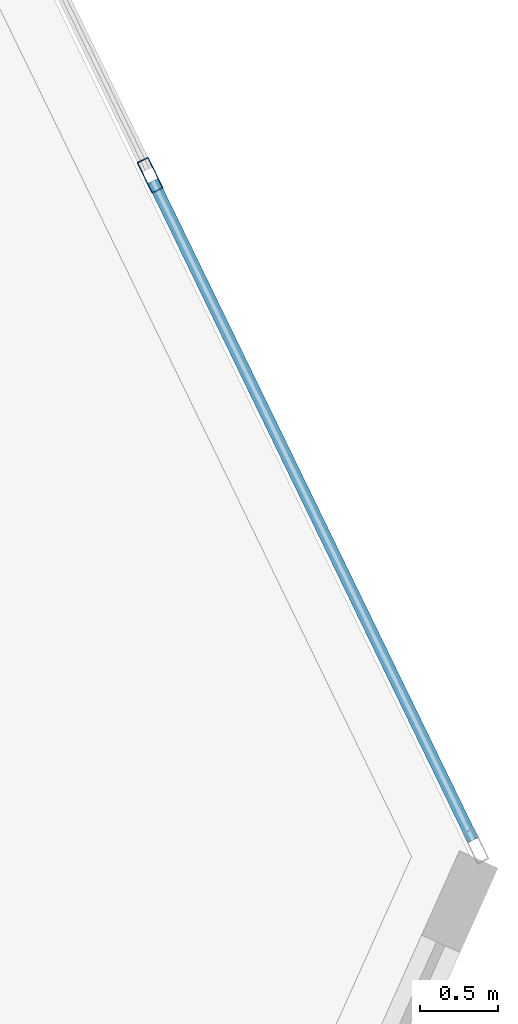
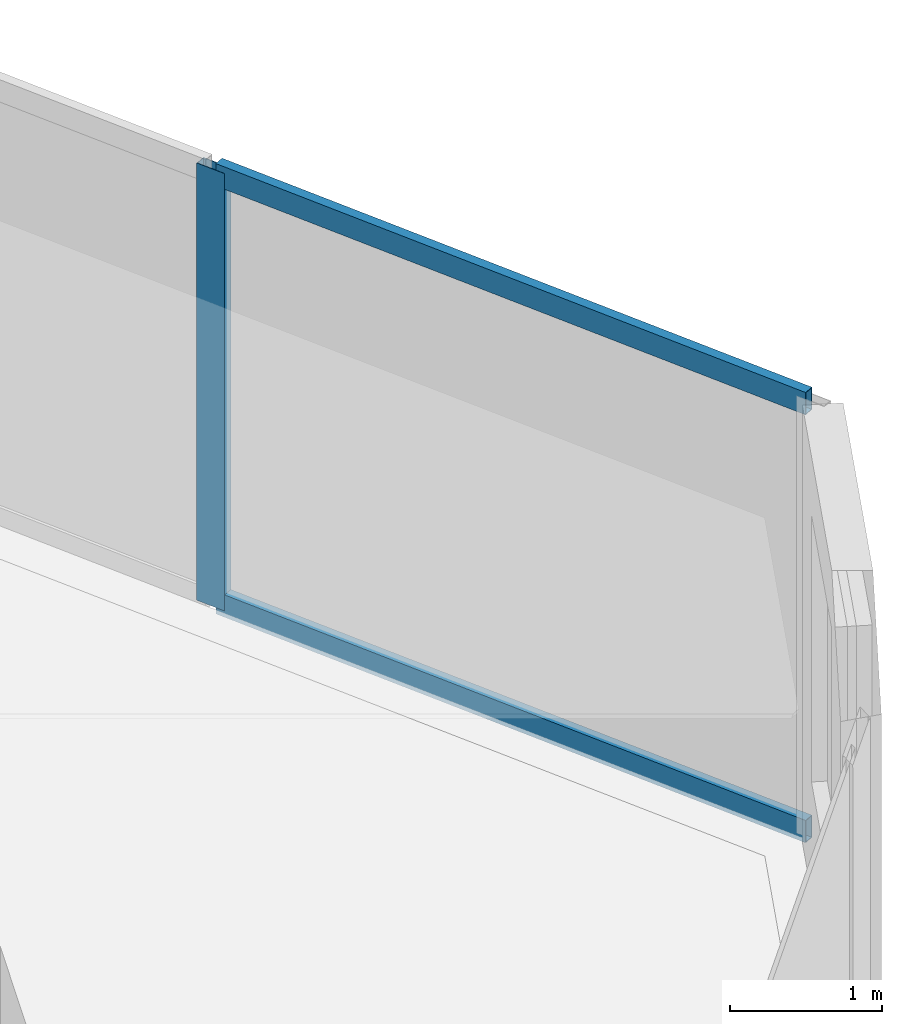
# One storey, part 14 of 24: 3 members, 1 element without a shape of its own.
"""IFC4 building model written with IfcOpenShell, lengths in metres."""

from ifc_helpers import new_model, si_unit, direction, frame, origin, origin_2d, place, context, subcontext, project, spatial, hollow_rectangle, extrude, source, transform, mapped, material, layer, layer_set, material_profile, profile_set, type_object, type_shapes, element, aggregate, save


model = new_model("IFC4")

# Units and contexts
model_context = context("Model", 3, precision=1e-05, world=origin(), true_north=direction((0.0, 1.0)))
body_context = subcontext(model_context, "Body", "Model", "MODEL_VIEW")
ifc_project = project(units=[si_unit("LENGTHUNIT", "METRE"), si_unit("AREAUNIT", "SQUARE_METRE"), si_unit("VOLUMEUNIT", "CUBIC_METRE"), si_unit("PLANEANGLEUNIT", "RADIAN"), si_unit("MASSUNIT", "GRAM", prefix="KILO")], contexts=[model_context])

# Site, building, storey
site_placement = place(None, origin())
site = spatial("IfcSite", under=ifc_project, at=site_placement, CompositionType="ELEMENT")
building_placement = place(site_placement, origin())
building = spatial("IfcBuilding", under=site, at=building_placement, Name="Talar Marvaseh", CompositionType="ELEMENT")
storey_placement = place(building_placement, frame((0.0, 0.0, 43.0)))
storey = spatial("IfcBuildingStorey", under=building, at=storey_placement, Name="L10", CompositionType="ELEMENT", Elevation=43.0)

# Curtain wall, members
ifc_material = material(Name="Architectural Aluminium", Category="aluminium")
ifc_layer = layer(ifc_material, 0.219970703125)
ifc_layer_set = layer_set([ifc_layer], Name="Architectural Aluminium")
curtain_wall_type = type_object("IfcCurtainWallType", Name="Unitised Low-E Museum Curtain Wall Z1", PredefinedType="NOTDEFINED", material=ifc_layer_set)
curtain_wall_placement = place(storey_placement, origin())
curtain_wall = element("IfcCurtainWall", 1, at=curtain_wall_placement, inside=storey, type_object=curtain_wall_type, Name="L10 Unitised Low-E Museum Curtain Wall Z1", PredefinedType="NOTDEFINED")
ifc_material_profile_1 = material_profile(ifc_material, hollow_rectangle(XDim=0.080078125, YDim=0.219970703125, WallThickness=0.0048828125, at=origin_2d()), Name="RHS220x80x5")
ifc_profile_set_1 = profile_set([ifc_material_profile_1], Name="Architectural Aluminium")
member_type_1 = type_object("IfcMemberType", Name="Unitised Curtain Wall Heavy Mullion RHS220x80x5", PredefinedType="MULLION", material=ifc_profile_set_1)
shared_shape_1 = source(origin(), body_context, "Body", "SweptSolid", [
    extrude(hollow_rectangle(XDim=0.080078125, YDim=0.219970703125, WallThickness=0.0048828125, at=origin_2d()), origin(), (0.0, 0.0, 1.0), 3.52001953125),
])
type_shapes(member_type_1, [shared_shape_1])
member_1_placement = place(storey_placement, frame((50.00390625, 28.10107421875, 0.0), z_axis=(0.0, 0.0, 1.0), x_axis=(0.89952791467, 0.436863286086, 0.0)))
member_1 = element("IfcMember", 2, at=member_1_placement, type_object=member_type_1, Name="CW-Z1 mullion 4", PredefinedType="MULLION", context=body_context, shape_type="MappedRepresentation", body=[
    mapped(shared_shape_1, transform((0.0, 0.0, 0.0), x_axis=(1.0, 0.0, 0.0), y_axis=(0.0, 1.0, 0.0), z_axis=(0.0, 0.0, 1.0), scale=1.0)),
])
ifc_material_profile_2 = material_profile(ifc_material, hollow_rectangle(XDim=0.074951171875, YDim=0.179931640625, WallThickness=0.0048828125, at=origin_2d()), Name="RHS180x75x5")
ifc_profile_set_2 = profile_set([ifc_material_profile_2], Name="Architectural Aluminium")
member_type_2 = type_object("IfcMemberType", Name="Unitised Curtain Wall Transom RHS180x75x5", PredefinedType="USERDEFINED", material=ifc_profile_set_2)
shared_shape_2 = source(origin(), body_context, "Body", "SweptSolid", [
    extrude(hollow_rectangle(XDim=0.074951171875, YDim=0.179931640625, WallThickness=0.0048828125, at=origin_2d()), origin(), (0.0, 0.0, 1.0), 4.696533203125),
])
type_shapes(member_type_2, [shared_shape_2])
member_2_placement = place(storey_placement, frame((50.021240234375, 28.06494140625, 0.03759765625), z_axis=(0.436870313855, -0.899524501541, 0.0), x_axis=(0.899524501541, 0.436870313855, 0.0)))
member_2 = element("IfcMember", 3, at=member_2_placement, type_object=member_type_2, Name="CW-Z1 transom 4.1", ObjectType="TRANSOM", PredefinedType="USERDEFINED", context=body_context, shape_type="MappedRepresentation", body=[
    mapped(shared_shape_2, transform((0.0, 0.0, 0.0), x_axis=(1.0, 0.0, 0.0), y_axis=(0.0, 1.0, 0.0), z_axis=(0.0, 0.0, 1.0), scale=1.0)),
])
member_3_placement = place(storey_placement, frame((50.021240234375, 28.06494140625, 3.482421875), z_axis=(0.436870313855, -0.899524501541, 0.0), x_axis=(0.899524501541, 0.436870313855, 0.0)))
member_3 = element("IfcMember", 4, at=member_3_placement, type_object=member_type_2, Name="CW-Z1 transom 4.2", ObjectType="TRANSOM", PredefinedType="USERDEFINED", context=body_context, shape_type="MappedRepresentation", body=[
    mapped(shared_shape_2, transform((0.0, 0.0, 0.0), x_axis=(1.0, 0.0, 0.0), y_axis=(0.0, 1.0, 0.0), z_axis=(0.0, 0.0, 1.0), scale=1.0)),
])
aggregate(curtain_wall, [member_1, member_2, member_3])

save(model, "model.ifc")
